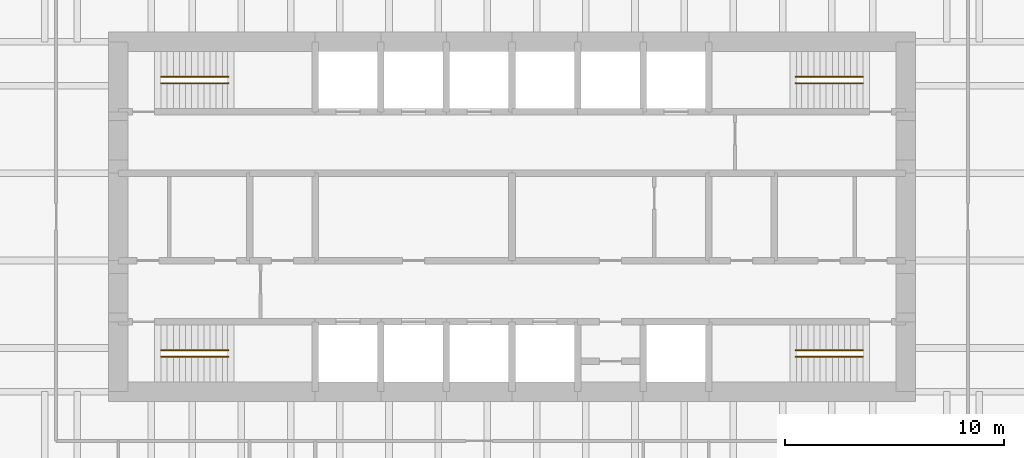
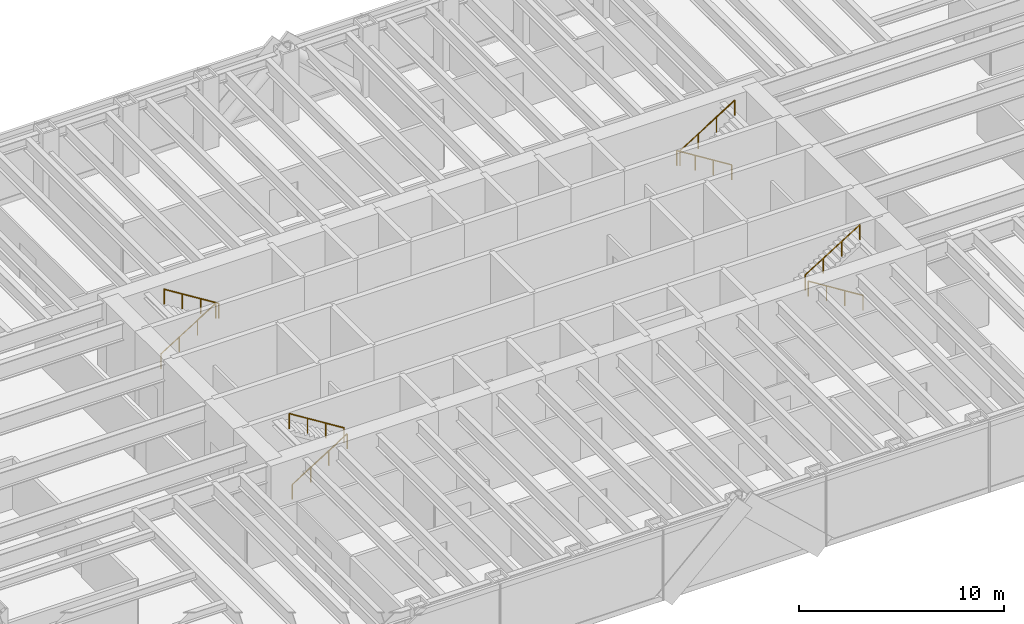
# One storey, part 15 of 15: 8 railings.
"""IFC4 building model written with IfcOpenShell, lengths in metres."""

from ifc_helpers import new_model, si_unit, direction, frame, origin, origin_2d, place, context, subcontext, project, spatial, circle, extrude, material, type_object, element, save


model = new_model("IFC4")

# Units and contexts
model_context = context("Model", 3, precision=1e-05, world=origin(), true_north=direction((0.0, 1.0)))
body_context = subcontext(model_context, "Body", "Model", "MODEL_VIEW")
ifc_project = project(units=[si_unit("LENGTHUNIT", "METRE"), si_unit("AREAUNIT", "SQUARE_METRE"), si_unit("VOLUMEUNIT", "CUBIC_METRE"), si_unit("PLANEANGLEUNIT", "RADIAN"), si_unit("MASSUNIT", "GRAM", prefix="KILO")], contexts=[model_context])

# Site, building, storey
site_placement = place(None, origin())
site = spatial("IfcSite", under=ifc_project, at=site_placement, CompositionType="ELEMENT")
building_placement = place(site_placement, origin())
building = spatial("IfcBuilding", under=site, at=building_placement, Name="Rheinbord Bourse Tower", CompositionType="ELEMENT")
storey_placement = place(building_placement, frame((0.0, 0.0, 150.89990234375)))
storey = spatial("IfcBuildingStorey", under=building, at=storey_placement, Name="L33", CompositionType="ELEMENT", Elevation=150.89990234375)

# Railings
ifc_material = material(Name="Steel handrail", Category="steel")
railing_type = type_object("IfcRailingType", Name="HANDRAIL 900", PredefinedType="HANDRAIL", material=ifc_material)
railing_1_placement = place(storey_placement, frame((19.949951171875, 17.60009765625, 0.175048828125)))
element("IfcRailing", 1, at=railing_1_placement, inside=storey, type_object=railing_type, Name="Handrail", PredefinedType="HANDRAIL", context=body_context, shape_type="SweptSolid", body=[
    extrude(circle(Radius=0.02392578125, at=origin_2d()), frame((0.0, 0.0, 0.8759765625), z_axis=(0.847998304005, 0.0, 0.529998940003), x_axis=(0.0, 1.0, 0.0)), (0.0, 0.0, 1.0), 3.632080078125),
    extrude(circle(Radius=0.02099609375, at=origin_2d()), origin(), (0.0, 0.0, 1.0), 0.851806640625),
    extrude(circle(Radius=0.02099609375, at=origin_2d()), frame((1.026611328125, 0.0, 0.6416015625)), (0.0, 0.0, 1.0), 0.851806640625),
    extrude(circle(Radius=0.02099609375, at=origin_2d()), frame((2.053466796875, 0.0, 1.283447265625)), (0.0, 0.0, 1.0), 0.851806640625),
    extrude(circle(Radius=0.02099609375, at=origin_2d()), frame((3.080078125, 0.0, 1.925048828125)), (0.0, 0.0, 1.0), 0.851806640625),
])
railing_2_placement = place(storey_placement, frame((23.030029296875, 17.89990234375, 2.275146484375)))
element("IfcRailing", 2, at=railing_2_placement, inside=storey, type_object=railing_type, Name="Handrail", PredefinedType="HANDRAIL", context=body_context, shape_type="SweptSolid", body=[
    extrude(circle(Radius=0.02392578125, at=origin_2d()), frame((0.0, 0.0, 0.8759765625), z_axis=(-0.847998304005, 0.0, 0.529998940003), x_axis=(0.0, -1.0, 0.0)), (0.0, 0.0, 1.0), 3.632080078125),
    extrude(circle(Radius=0.02099609375, at=origin_2d()), origin(), (0.0, 0.0, 1.0), 0.851806640625),
    extrude(circle(Radius=0.02099609375, at=origin_2d()), frame((-1.026611328125, 0.0, 0.6416015625)), (0.0, 0.0, 1.0), 0.851806640625),
    extrude(circle(Radius=0.02099609375, at=origin_2d()), frame((-2.053466796875, 0.0, 1.283447265625)), (0.0, 0.0, 1.0), 0.851806640625),
    extrude(circle(Radius=0.02099609375, at=origin_2d()), frame((-3.080078125, 0.0, 1.925048828125)), (0.0, 0.0, 1.0), 0.851806640625),
])
railing_3_placement = place(storey_placement, frame((19.949951171875, 30.39990234375, 0.175048828125)))
element("IfcRailing", 3, at=railing_3_placement, inside=storey, type_object=railing_type, Name="Handrail", PredefinedType="HANDRAIL", context=body_context, shape_type="SweptSolid", body=[
    extrude(circle(Radius=0.02392578125, at=origin_2d()), frame((0.0, 0.0, 0.8759765625), z_axis=(0.847998304005, 0.0, 0.529998940003), x_axis=(0.0, 1.0, 0.0)), (0.0, 0.0, 1.0), 3.632080078125),
    extrude(circle(Radius=0.02099609375, at=origin_2d()), origin(), (0.0, 0.0, 1.0), 0.851806640625),
    extrude(circle(Radius=0.02099609375, at=origin_2d()), frame((1.026611328125, 0.0, 0.6416015625)), (0.0, 0.0, 1.0), 0.851806640625),
    extrude(circle(Radius=0.02099609375, at=origin_2d()), frame((2.053466796875, 0.0, 1.283447265625)), (0.0, 0.0, 1.0), 0.851806640625),
    extrude(circle(Radius=0.02099609375, at=origin_2d()), frame((3.080078125, 0.0, 1.925048828125)), (0.0, 0.0, 1.0), 0.851806640625),
])
for number, where, name in (
    (4, (23.030029296875, 30.10009765625, 2.275146484375), "Handrail"),
    (5, (52.050048828125, 17.60009765625, 0.175048828125), "Handrail"),
):
    element("IfcRailing", number, at=place(storey_placement, frame(where)), inside=storey, type_object=railing_type, Name=name, PredefinedType="HANDRAIL", context=body_context, shape_type="SweptSolid", body=[
        extrude(circle(Radius=0.02392578125, at=origin_2d()), frame((0.0, 0.0, 0.8759765625), z_axis=(-0.847998304005, 0.0, 0.529998940003), x_axis=(0.0, -1.0, 0.0)), (0.0, 0.0, 1.0), 3.632080078125),
        extrude(circle(Radius=0.02099609375, at=origin_2d()), origin(), (0.0, 0.0, 1.0), 0.851806640625),
        extrude(circle(Radius=0.02099609375, at=origin_2d()), frame((-1.026611328125, 0.0, 0.6416015625)), (0.0, 0.0, 1.0), 0.851806640625),
        extrude(circle(Radius=0.02099609375, at=origin_2d()), frame((-2.053466796875, 0.0, 1.283447265625)), (0.0, 0.0, 1.0), 0.851806640625),
        extrude(circle(Radius=0.02099609375, at=origin_2d()), frame((-3.080078125, 0.0, 1.925048828125)), (0.0, 0.0, 1.0), 0.851806640625),
    ])
railing_4_placement = place(storey_placement, frame((48.969970703125, 17.89990234375, 2.275146484375)))
element("IfcRailing", 6, at=railing_4_placement, inside=storey, type_object=railing_type, Name="Handrail", PredefinedType="HANDRAIL", context=body_context, shape_type="SweptSolid", body=[
    extrude(circle(Radius=0.02392578125, at=origin_2d()), frame((0.0, 0.0, 0.8759765625), z_axis=(0.847998304005, 0.0, 0.529998940003), x_axis=(0.0, 1.0, 0.0)), (0.0, 0.0, 1.0), 3.632080078125),
    extrude(circle(Radius=0.02099609375, at=origin_2d()), origin(), (0.0, 0.0, 1.0), 0.851806640625),
    extrude(circle(Radius=0.02099609375, at=origin_2d()), frame((1.026611328125, 0.0, 0.6416015625)), (0.0, 0.0, 1.0), 0.851806640625),
    extrude(circle(Radius=0.02099609375, at=origin_2d()), frame((2.053466796875, 0.0, 1.283447265625)), (0.0, 0.0, 1.0), 0.851806640625),
    extrude(circle(Radius=0.02099609375, at=origin_2d()), frame((3.080078125, 0.0, 1.925048828125)), (0.0, 0.0, 1.0), 0.851806640625),
])
railing_5_placement = place(storey_placement, frame((52.050048828125, 30.39990234375, 0.175048828125)))
element("IfcRailing", 7, at=railing_5_placement, inside=storey, type_object=railing_type, Name="Handrail", PredefinedType="HANDRAIL", context=body_context, shape_type="SweptSolid", body=[
    extrude(circle(Radius=0.02392578125, at=origin_2d()), frame((0.0, 0.0, 0.8759765625), z_axis=(-0.847998304005, 0.0, 0.529998940003), x_axis=(0.0, -1.0, 0.0)), (0.0, 0.0, 1.0), 3.632080078125),
    extrude(circle(Radius=0.02099609375, at=origin_2d()), origin(), (0.0, 0.0, 1.0), 0.851806640625),
    extrude(circle(Radius=0.02099609375, at=origin_2d()), frame((-1.026611328125, 0.0, 0.6416015625)), (0.0, 0.0, 1.0), 0.851806640625),
    extrude(circle(Radius=0.02099609375, at=origin_2d()), frame((-2.053466796875, 0.0, 1.283447265625)), (0.0, 0.0, 1.0), 0.851806640625),
    extrude(circle(Radius=0.02099609375, at=origin_2d()), frame((-3.080078125, 0.0, 1.925048828125)), (0.0, 0.0, 1.0), 0.851806640625),
])
railing_6_placement = place(storey_placement, frame((48.969970703125, 30.10009765625, 2.275146484375)))
element("IfcRailing", 8, at=railing_6_placement, inside=storey, type_object=railing_type, Name="Handrail", PredefinedType="HANDRAIL", context=body_context, shape_type="SweptSolid", body=[
    extrude(circle(Radius=0.02392578125, at=origin_2d()), frame((0.0, 0.0, 0.8759765625), z_axis=(0.847998304005, 0.0, 0.529998940003), x_axis=(0.0, 1.0, 0.0)), (0.0, 0.0, 1.0), 3.632080078125),
    extrude(circle(Radius=0.02099609375, at=origin_2d()), origin(), (0.0, 0.0, 1.0), 0.851806640625),
    extrude(circle(Radius=0.02099609375, at=origin_2d()), frame((1.026611328125, 0.0, 0.6416015625)), (0.0, 0.0, 1.0), 0.851806640625),
    extrude(circle(Radius=0.02099609375, at=origin_2d()), frame((2.053466796875, 0.0, 1.283447265625)), (0.0, 0.0, 1.0), 0.851806640625),
    extrude(circle(Radius=0.02099609375, at=origin_2d()), frame((3.080078125, 0.0, 1.925048828125)), (0.0, 0.0, 1.0), 0.851806640625),
])

save(model, "model.ifc")
